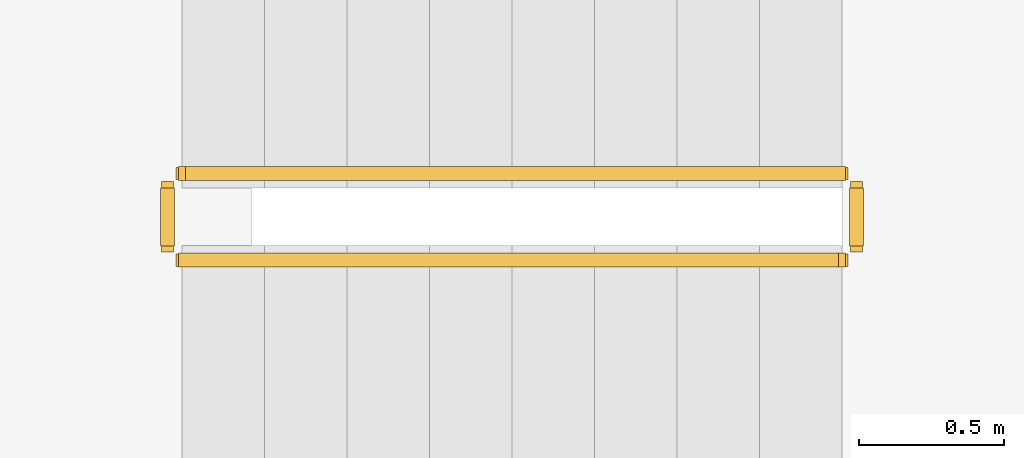
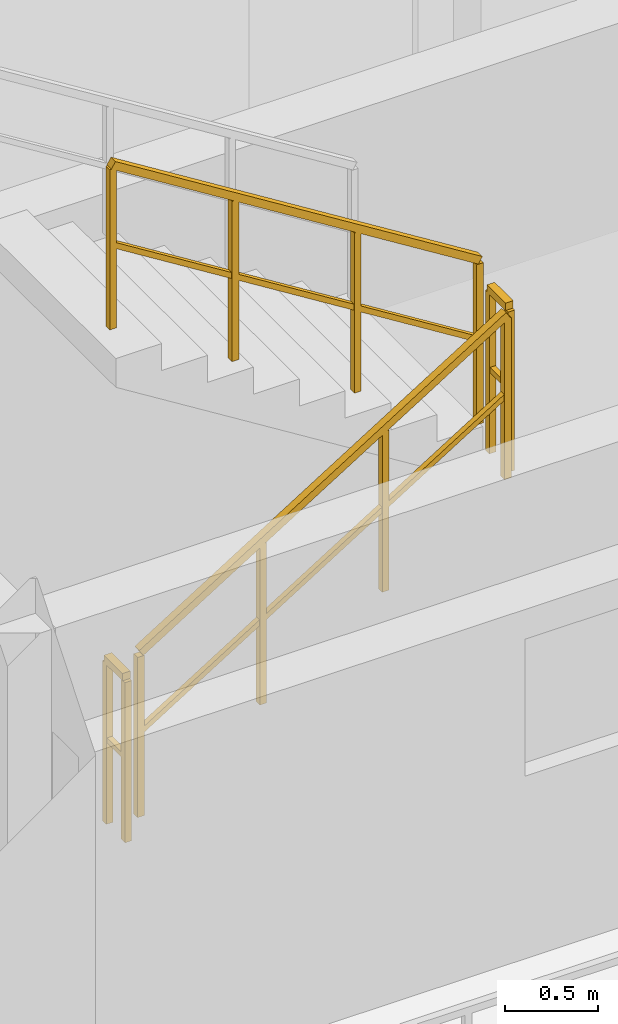
# One storey, part 147 of 157: 4 railings.
"""IFC4 building model written with IfcOpenShell, lengths in metres."""

from ifc_helpers import new_model, si_unit, direction, frame, origin, origin_2d, place, context, subcontext, project, spatial, rectangle, extrude, material, type_object, element, save


model = new_model("IFC4")

# Units and contexts
model_context = context("Model", 3, precision=1e-05, world=origin(), true_north=direction((0.0, 1.0)))
body_context = subcontext(model_context, "Body", "Model", "MODEL_VIEW")
ifc_project = project(units=[si_unit("LENGTHUNIT", "METRE"), si_unit("AREAUNIT", "SQUARE_METRE"), si_unit("VOLUMEUNIT", "CUBIC_METRE"), si_unit("PLANEANGLEUNIT", "RADIAN"), si_unit("MASSUNIT", "GRAM", prefix="KILO")], contexts=[model_context])

# Site, building, storey
site_placement = place(None, origin())
site = spatial("IfcSite", under=ifc_project, at=site_placement, CompositionType="ELEMENT")
building_placement = place(site_placement, origin())
building = spatial("IfcBuilding", under=site, at=building_placement, Name="Suanplinth Sawtooth Commons", CompositionType="ELEMENT")
storey_placement = place(building_placement, frame((0.0, 0.0, 9.0)))
storey = spatial("IfcBuildingStorey", under=building, at=storey_placement, Name="L02", CompositionType="ELEMENT", Elevation=9.0)

# Railings
ifc_material = material(Name="Stainless steel Grade 304", Category="steel")
railing_type = type_object("IfcRailingType", Name="GR-04", PredefinedType="GUARDRAIL", material=ifc_material)
railing_1_placement = place(storey_placement, frame((45.050048828125, 109.85009765625, 0.177734375)))
element("IfcRailing", 1, at=railing_1_placement, inside=storey, type_object=railing_type, Name="L02 ST-N1 Guard 1", PredefinedType="GUARDRAIL", context=body_context, shape_type="SweptSolid", body=[
    extrude(rectangle(XDim=0.048095703125, YDim=0.048095703125, at=origin_2d()), frame((0.0, 0.0, 1.076171875), z_axis=(0.848442045328, 0.0, 0.529288291689), x_axis=(0.0, 1.0, 0.0)), (0.0, 0.0, 1.0), 2.687255859375),
    extrude(rectangle(XDim=0.03369140625, YDim=0.03369140625, at=origin_2d()), frame((0.0, 0.0, 0.550048828125), z_axis=(0.848442045328, 0.0, 0.529288291689), x_axis=(0.0, 1.0, 0.0)), (0.0, 0.0, 1.0), 2.687255859375),
    extrude(rectangle(XDim=0.0419921875, YDim=0.0419921875, at=origin_2d()), origin(), (0.0, 0.0, 1.0), 1.052001953125),
    extrude(rectangle(XDim=0.0419921875, YDim=0.0419921875, at=origin_2d()), frame((0.760009765625, 0.0, 0.47412109375)), (0.0, 0.0, 1.0), 1.052001953125),
    extrude(rectangle(XDim=0.0419921875, YDim=0.0419921875, at=origin_2d()), frame((1.52001953125, 0.0, 0.9482421875)), (0.0, 0.0, 1.0), 1.052001953125),
    extrude(rectangle(XDim=0.0419921875, YDim=0.0419921875, at=origin_2d()), frame((2.280029296875, 0.0, 1.42236328125)), (0.0, 0.0, 1.0), 1.052001953125),
])
railing_2_placement = place(storey_placement, frame((47.3798828125, 109.89990234375, 1.60009765625)))
element("IfcRailing", 2, at=railing_2_placement, inside=storey, type_object=railing_type, Name="L02 ST-N1 Guard 2", PredefinedType="GUARDRAIL", context=body_context, shape_type="SweptSolid", body=[
    extrude(rectangle(XDim=0.048095703125, YDim=0.048095703125, at=origin_2d()), frame((0.0, 0.0, 1.076171875), z_axis=(0.0, 1.0, 0.0), x_axis=(-1.0, 0.0, 0.0)), (0.0, 0.0, 1.0), 0.2001953125),
    extrude(rectangle(XDim=0.03369140625, YDim=0.03369140625, at=origin_2d()), frame((0.0, 0.0, 0.550048828125), z_axis=(0.0, 1.0, 0.0), x_axis=(-1.0, 0.0, 0.0)), (0.0, 0.0, 1.0), 0.2001953125),
    extrude(rectangle(XDim=0.0419921875, YDim=0.0419921875, at=origin_2d()), origin(), (0.0, 0.0, 1.0), 1.052001953125),
    extrude(rectangle(XDim=0.0419921875, YDim=0.0419921875, at=origin_2d()), frame((0.0, 0.2001953125, 0.0)), (0.0, 0.0, 1.0), 1.052001953125),
])
railing_3_placement = place(storey_placement, frame((47.330078125, 110.14990234375, 1.77783203125)))
element("IfcRailing", 3, at=railing_3_placement, inside=storey, type_object=railing_type, Name="L02 ST-N1 Guard 3", PredefinedType="GUARDRAIL", context=body_context, shape_type="SweptSolid", body=[
    extrude(rectangle(XDim=0.048095703125, YDim=0.048095703125, at=origin_2d()), frame((0.0, 0.0, 1.076171875), z_axis=(-0.848482842525, 0.0, 0.529222888715), x_axis=(0.0, -1.0, 0.0)), (0.0, 0.0, 1.0), 2.687255859375),
    extrude(rectangle(XDim=0.03369140625, YDim=0.03369140625, at=origin_2d()), frame((0.0, 0.0, 0.550048828125), z_axis=(-0.848482842525, 0.0, 0.529222888715), x_axis=(0.0, -1.0, 0.0)), (0.0, 0.0, 1.0), 2.687255859375),
    extrude(rectangle(XDim=0.0419921875, YDim=0.0419921875, at=origin_2d()), origin(), (0.0, 0.0, 1.0), 1.052001953125),
    extrude(rectangle(XDim=0.0419921875, YDim=0.0419921875, at=origin_2d()), frame((-0.760009765625, 0.0, 0.47412109375)), (0.0, 0.0, 1.0), 1.052001953125),
    extrude(rectangle(XDim=0.0419921875, YDim=0.0419921875, at=origin_2d()), frame((-1.52001953125, 0.0, 0.947998046875)), (0.0, 0.0, 1.0), 1.052001953125),
    extrude(rectangle(XDim=0.0419921875, YDim=0.0419921875, at=origin_2d()), frame((-2.280029296875, 0.0, 1.422119140625)), (0.0, 0.0, 1.0), 1.052001953125),
])
railing_4_placement = place(storey_placement, frame((45.0, 109.89990234375, 0.0)))
element("IfcRailing", 4, at=railing_4_placement, inside=storey, type_object=railing_type, Name="L02 ST-N1 Guard 4", PredefinedType="GUARDRAIL", context=body_context, shape_type="SweptSolid", body=[
    extrude(rectangle(XDim=0.048095703125, YDim=0.048095703125, at=origin_2d()), frame((0.0, 0.0, 1.076171875), z_axis=(0.0, 1.0, 0.0), x_axis=(-1.0, 0.0, 0.0)), (0.0, 0.0, 1.0), 0.2001953125),
    extrude(rectangle(XDim=0.03369140625, YDim=0.03369140625, at=origin_2d()), frame((0.0, 0.0, 0.550048828125), z_axis=(0.0, 1.0, 0.0), x_axis=(-1.0, 0.0, 0.0)), (0.0, 0.0, 1.0), 0.2001953125),
    extrude(rectangle(XDim=0.0419921875, YDim=0.0419921875, at=origin_2d()), origin(), (0.0, 0.0, 1.0), 1.052001953125),
    extrude(rectangle(XDim=0.0419921875, YDim=0.0419921875, at=origin_2d()), frame((0.0, 0.2001953125, 0.0)), (0.0, 0.0, 1.0), 1.052001953125),
])

save(model, "model.ifc")
